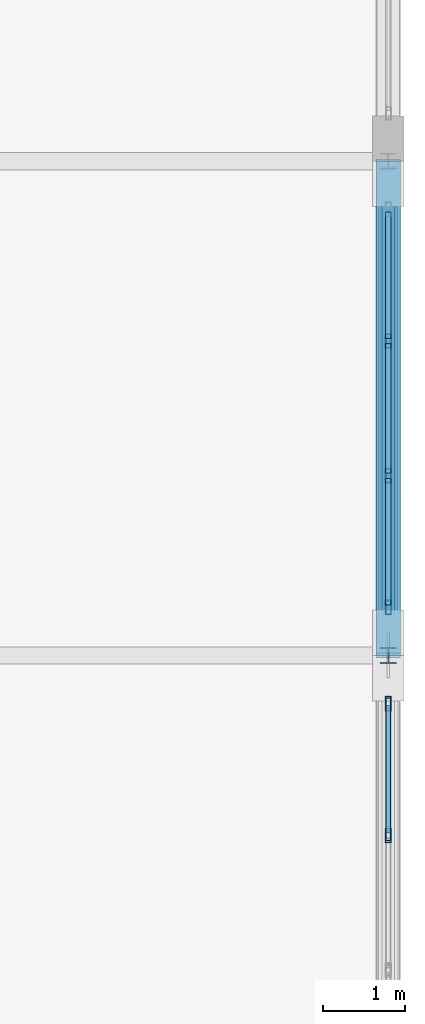
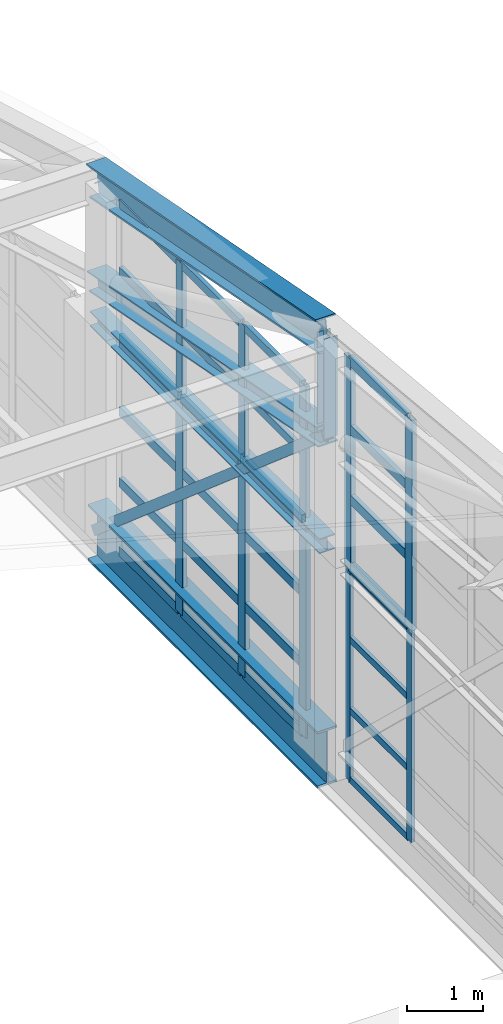
# One storey, part 139 of 204: 45 members, 4 elements without a shape of their own.
"""IFC4 building model written with IfcOpenShell, lengths in metres."""

from ifc_helpers import new_model, si_unit, direction, frame, origin, origin_2d, place, context, subcontext, project, spatial, hollow_rectangle, i_section, extrude, material, layer, layer_set, material_profile, profile_set, type_object, element, aggregate, save


model = new_model("IFC4")

# Units and contexts
model_context = context("Model", 3, precision=1e-05, world=origin(), true_north=direction((0.0, 1.0)))
body_context = subcontext(model_context, "Body", "Model", "MODEL_VIEW")
ifc_project = project(units=[si_unit("LENGTHUNIT", "METRE"), si_unit("AREAUNIT", "SQUARE_METRE"), si_unit("VOLUMEUNIT", "CUBIC_METRE"), si_unit("PLANEANGLEUNIT", "RADIAN"), si_unit("MASSUNIT", "GRAM", prefix="KILO")], contexts=[model_context])

# Site, building, storey
site_placement = place(None, origin())
site = spatial("IfcSite", under=ifc_project, at=site_placement, CompositionType="ELEMENT")
building_placement = place(site_placement, origin())
building = spatial("IfcBuilding", under=site, at=building_placement, Name="Zilviju Railside Exhibition Hall", CompositionType="ELEMENT")
storey_placement = place(building_placement, frame((0.0, 0.0, 21.0)))
storey = spatial("IfcBuildingStorey", under=building, at=storey_placement, Name="RF", CompositionType="ELEMENT", Elevation=21.0)

# Curtain wall, members
ifc_material_1 = material(Name="Thermally broken aluminium-steel triple-glazed curtain wall", Category="steel")
ifc_layer_1 = layer(ifc_material_1, 0.179931640625)
ifc_layer_set_1 = layer_set([ifc_layer_1], Name="Thermally broken aluminium-steel triple-glazed curtain wall")
curtain_wall_type_1 = type_object("IfcCurtainWallType", Name="CW-BAY-18", PredefinedType="USERDEFINED", material=ifc_layer_set_1)
curtain_wall_1_placement = place(storey_placement, origin())
curtain_wall_1 = element("IfcCurtainWall", 1, at=curtain_wall_1_placement, inside=storey, type_object=curtain_wall_type_1, Name="North Hall Arch Lower Tympanum Glazing East P6", ObjectType="GLAZED CURTAIN WALL", PredefinedType="USERDEFINED")
ifc_material_2 = material(Name="Thermally broken anodized aluminium mullion", Category="aluminium")
ifc_material_profile_1 = material_profile(ifc_material_2, hollow_rectangle(XDim=0.054931640625, YDim=0.1298828125, WallThickness=0.0048828125, at=origin_2d()), Name="MULLION 130x55x5")
ifc_profile_set_1 = profile_set([ifc_material_profile_1], Name="Thermally broken anodized aluminium mullion")
member_type_1 = type_object("IfcMemberType", Name="CWM-55x130", PredefinedType="MULLION", material=ifc_profile_set_1)
member_1_placement = place(storey_placement, frame((216.0, 119.422607421875, -3.60009765625), z_axis=(0.0, 0.0, 1.0), x_axis=(1.0, 0.0, 0.0)))
member_1 = element("IfcMember", 2, at=member_1_placement, type_object=member_type_1, Name="CW-18 mullion 1", PredefinedType="MULLION", context=body_context, shape_type="SweptSolid", body=[
    extrude(hollow_rectangle(XDim=0.054931640625, YDim=0.1298828125, WallThickness=0.0048828125, at=origin_2d()), origin(), (0.0, 0.0, 1.0), 3.400146484375),
])
member_2_placement = place(storey_placement, frame((216.0, 117.816650390625, -3.60009765625), z_axis=(0.0, 0.0, 1.0), x_axis=(1.0, 0.0, 0.0)))
member_2 = element("IfcMember", 3, at=member_2_placement, type_object=member_type_1, Name="CW-18 mullion 2", PredefinedType="MULLION", context=body_context, shape_type="SweptSolid", body=[
    extrude(hollow_rectangle(XDim=0.054931640625, YDim=0.1298828125, WallThickness=0.0048828125, at=origin_2d()), origin(), (0.0, 0.0, 1.0), 3.400146484375),
])

ifc_layer_2 = layer(ifc_material_1, 0.179931640625)
ifc_layer_set_2 = layer_set([ifc_layer_2], Name="Thermally broken aluminium-steel triple-glazed curtain wall")
curtain_wall_type_2 = type_object("IfcCurtainWallType", Name="CW-BAY-06", PredefinedType="USERDEFINED", material=ifc_layer_set_2)
curtain_wall_2_placement = place(storey_placement, origin())
curtain_wall_2 = element("IfcCurtainWall", 4, at=curtain_wall_2_placement, inside=storey, type_object=curtain_wall_type_2, Name="North Hall Crown Arch Tympanum Glazing East P7", ObjectType="GLAZED CURTAIN WALL", PredefinedType="USERDEFINED")
ifc_material_profile_2 = material_profile(ifc_material_2, hollow_rectangle(XDim=0.06494140625, YDim=0.159912109375, WallThickness=0.0048828125, at=origin_2d()), Name="MULLION 160x65x5")
ifc_profile_set_2 = profile_set([ifc_material_profile_2], Name="Thermally broken anodized aluminium mullion")
member_type_2 = type_object("IfcMemberType", Name="CWM-65x160", PredefinedType="MULLION", material=ifc_profile_set_2)
member_3_placement = place(storey_placement, frame((216.0, 123.816650390625, -0.199951171875), z_axis=(0.0, 0.0, 1.0), x_axis=(1.0, 0.0, 0.0)))
member_3 = element("IfcMember", 5, at=member_3_placement, type_object=member_type_2, Name="CW-06 mullion 2", PredefinedType="MULLION", context=body_context, shape_type="SweptSolid", body=[
    extrude(hollow_rectangle(XDim=0.06494140625, YDim=0.159912109375, WallThickness=0.0048828125, at=origin_2d()), origin(), (0.0, 0.0, 1.0), 2.209716796875),
])
member_4_placement = place(storey_placement, frame((216.0, 122.183349609375, -0.199951171875), z_axis=(0.0, 0.0, 1.0), x_axis=(1.0, 0.0, 0.0)))
member_4 = element("IfcMember", 6, at=member_4_placement, type_object=member_type_2, Name="CW-06 mullion 3", PredefinedType="MULLION", context=body_context, shape_type="SweptSolid", body=[
    extrude(hollow_rectangle(XDim=0.06494140625, YDim=0.159912109375, WallThickness=0.0048828125, at=origin_2d()), origin(), (0.0, 0.0, 1.0), 2.209716796875),
])
member_5_placement = place(storey_placement, frame((216.0, 120.58251953125, -0.199951171875), z_axis=(0.0, 0.0, 1.0), x_axis=(1.0, 0.0, 0.0)))
member_5 = element("IfcMember", 7, at=member_5_placement, type_object=member_type_2, Name="CW-06 mullion 4", PredefinedType="MULLION", context=body_context, shape_type="SweptSolid", body=[
    extrude(hollow_rectangle(XDim=0.06494140625, YDim=0.159912109375, WallThickness=0.0048828125, at=origin_2d()), origin(), (0.0, 0.0, 1.0), 2.209716796875),
])

ifc_layer_3 = layer(ifc_material_1, 0.179931640625)
ifc_layer_set_3 = layer_set([ifc_layer_3], Name="Thermally broken aluminium-steel triple-glazed curtain wall")
curtain_wall_type_3 = type_object("IfcCurtainWallType", Name="CW-BAY-19", PredefinedType="USERDEFINED", material=ifc_layer_set_3)
curtain_wall_3_placement = place(storey_placement, origin())
curtain_wall_3 = element("IfcCurtainWall", 8, at=curtain_wall_3_placement, inside=storey, type_object=curtain_wall_type_3, Name="North Hall Arch Lower Tympanum Glazing East P7", ObjectType="GLAZED CURTAIN WALL", PredefinedType="USERDEFINED")
ifc_material_profile_3 = material_profile(ifc_material_2, hollow_rectangle(XDim=0.070068359375, YDim=0.179931640625, WallThickness=0.0048828125, at=origin_2d()), Name="MULLION 180x70x5")
ifc_profile_set_3 = profile_set([ifc_material_profile_3], Name="Thermally broken anodized aluminium mullion")
member_type_3 = type_object("IfcMemberType", Name="CWM-70x180", PredefinedType="MULLION", material=ifc_profile_set_3)
member_6_placement = place(storey_placement, frame((216.0, 123.816650390625, -3.60009765625), z_axis=(0.0, 0.0, 1.0), x_axis=(1.0, 0.0, 0.0)))
member_6 = element("IfcMember", 9, at=member_6_placement, type_object=member_type_3, Name="CW-19 mullion 2", PredefinedType="MULLION", context=body_context, shape_type="SweptSolid", body=[
    extrude(hollow_rectangle(XDim=0.070068359375, YDim=0.179931640625, WallThickness=0.0048828125, at=origin_2d()), origin(), (0.0, 0.0, 1.0), 3.400146484375),
])
member_7_placement = place(storey_placement, frame((216.0, 122.183349609375, -3.60009765625), z_axis=(0.0, 0.0, 1.0), x_axis=(1.0, 0.0, 0.0)))
member_7 = element("IfcMember", 10, at=member_7_placement, type_object=member_type_3, Name="CW-19 mullion 3", PredefinedType="MULLION", context=body_context, shape_type="SweptSolid", body=[
    extrude(hollow_rectangle(XDim=0.070068359375, YDim=0.179931640625, WallThickness=0.0048828125, at=origin_2d()), origin(), (0.0, 0.0, 1.0), 3.400146484375),
])
member_8_placement = place(storey_placement, frame((216.0, 120.5849609375, -3.60009765625), z_axis=(0.0, 0.0, 1.0), x_axis=(1.0, 0.0, 0.0)))
member_8 = element("IfcMember", 11, at=member_8_placement, type_object=member_type_3, Name="CW-19 mullion 4", PredefinedType="MULLION", context=body_context, shape_type="SweptSolid", body=[
    extrude(hollow_rectangle(XDim=0.070068359375, YDim=0.179931640625, WallThickness=0.0048828125, at=origin_2d()), origin(), (0.0, 0.0, 1.0), 3.400146484375),
])

ifc_layer_4 = layer(ifc_material_1, 0.179931640625)
ifc_layer_set_4 = layer_set([ifc_layer_4], Name="Thermally broken aluminium-steel triple-glazed curtain wall")
curtain_wall_type_4 = type_object("IfcCurtainWallType", Name="CW-BAY-05", PredefinedType="USERDEFINED", material=ifc_layer_set_4)
curtain_wall_4_placement = place(storey_placement, origin())
curtain_wall_4 = element("IfcCurtainWall", 12, at=curtain_wall_4_placement, inside=storey, type_object=curtain_wall_type_4, Name="North Hall Crown Arch Tympanum Glazing East P6", ObjectType="GLAZED CURTAIN WALL", PredefinedType="USERDEFINED")
member_9_placement = place(storey_placement, frame((216.0, 119.4150390625, -0.199951171875), z_axis=(0.0, 0.0, 1.0), x_axis=(1.0, 0.0, 0.0)))
member_9 = element("IfcMember", 13, at=member_9_placement, type_object=member_type_3, Name="CW-05 mullion 1", PredefinedType="MULLION", context=body_context, shape_type="SweptSolid", body=[
    extrude(hollow_rectangle(XDim=0.070068359375, YDim=0.179931640625, WallThickness=0.0048828125, at=origin_2d()), origin(), (0.0, 0.0, 1.0), 3.35546875),
])
member_10_placement = place(storey_placement, frame((216.0, 117.816650390625, -0.199951171875), z_axis=(0.0, 0.0, 1.0), x_axis=(1.0, 0.0, 0.0)))
member_10 = element("IfcMember", 14, at=member_10_placement, type_object=member_type_3, Name="CW-05 mullion 2", PredefinedType="MULLION", context=body_context, shape_type="SweptSolid", body=[
    extrude(hollow_rectangle(XDim=0.070068359375, YDim=0.179931640625, WallThickness=0.0048828125, at=origin_2d()), origin(), (0.0, 0.0, 1.0), 3.35546875),
])

# Member
ifc_material_3 = material(Name="Thermally broken anodized aluminium transom", Category="aluminium")
ifc_material_profile_4 = material_profile(ifc_material_3, hollow_rectangle(XDim=0.054931640625, YDim=0.10498046875, WallThickness=0.0048828125, at=origin_2d()), Name="TRANSOM 105x55x5")
ifc_profile_set_4 = profile_set([ifc_material_profile_4], Name="Thermally broken anodized aluminium transom")
member_type_4 = type_object("IfcMemberType", Name="CWT-55x105", PredefinedType="USERDEFINED", material=ifc_profile_set_4)
member_11_placement = place(storey_placement, frame((216.0, 119.39501953125, -3.572509765625), z_axis=(0.0, -1.0, 0.0), x_axis=(1.0, 0.0, 0.0)))
member_11 = element("IfcMember", 15, at=member_11_placement, type_object=member_type_4, Name="CW-18 transom 1.1", ObjectType="TRANSOM", PredefinedType="USERDEFINED", context=body_context, shape_type="SweptSolid", body=[
    extrude(hollow_rectangle(XDim=0.054931640625, YDim=0.10498046875, WallThickness=0.0048828125, at=origin_2d()), origin(), (0.0, 0.0, 1.0), 1.55078125),
])

member_12_placement = place(storey_placement, frame((216.0, 119.39501953125, -2.467041015625), z_axis=(0.0, -1.0, 0.0), x_axis=(1.0, 0.0, 0.0)))
member_12 = element("IfcMember", 16, at=member_12_placement, type_object=member_type_4, Name="CW-18 transom 1.2", ObjectType="TRANSOM", PredefinedType="USERDEFINED", context=body_context, shape_type="SweptSolid", body=[
    extrude(hollow_rectangle(XDim=0.054931640625, YDim=0.10498046875, WallThickness=0.0048828125, at=origin_2d()), origin(), (0.0, 0.0, 1.0), 1.55078125),
])

member_13_placement = place(storey_placement, frame((216.0, 119.39501953125, -1.3330078125), z_axis=(0.0, -1.0, 0.0), x_axis=(1.0, 0.0, 0.0)))
member_13 = element("IfcMember", 17, at=member_13_placement, type_object=member_type_4, Name="CW-18 transom 1.3", ObjectType="TRANSOM", PredefinedType="USERDEFINED", context=body_context, shape_type="SweptSolid", body=[
    extrude(hollow_rectangle(XDim=0.054931640625, YDim=0.10498046875, WallThickness=0.0048828125, at=origin_2d()), origin(), (0.0, 0.0, 1.0), 1.55078125),
])

member_14_placement = place(storey_placement, frame((216.0, 119.39501953125, -0.2275390625), z_axis=(0.0, -1.0, 0.0), x_axis=(1.0, 0.0, 0.0)))
member_14 = element("IfcMember", 18, at=member_14_placement, type_object=member_type_4, Name="CW-18 transom 1.4", ObjectType="TRANSOM", PredefinedType="USERDEFINED", context=body_context, shape_type="SweptSolid", body=[
    extrude(hollow_rectangle(XDim=0.054931640625, YDim=0.10498046875, WallThickness=0.0048828125, at=origin_2d()), origin(), (0.0, 0.0, 1.0), 1.55078125),
])

aggregate(curtain_wall_1, [member_1, member_2, member_11, member_12, member_13, member_14])

ifc_material_profile_5 = material_profile(ifc_material_3, hollow_rectangle(XDim=0.06494140625, YDim=0.1298828125, WallThickness=0.0048828125, at=origin_2d()), Name="TRANSOM 130x65x5")
ifc_profile_set_5 = profile_set([ifc_material_profile_5], Name="Thermally broken anodized aluminium transom")
member_type_5 = type_object("IfcMemberType", Name="CWT-65x130", PredefinedType="USERDEFINED", material=ifc_profile_set_5)
member_15_placement = place(storey_placement, frame((216.0, 125.385009765625, -0.16748046875), z_axis=(0.0, -1.0, 0.0), x_axis=(1.0, 0.0, 0.0)))
member_15 = element("IfcMember", 19, at=member_15_placement, type_object=member_type_5, Name="CW-06 transom 1.1", ObjectType="TRANSOM", PredefinedType="USERDEFINED", context=body_context, shape_type="SweptSolid", body=[
    extrude(hollow_rectangle(XDim=0.06494140625, YDim=0.1298828125, WallThickness=0.0048828125, at=origin_2d()), origin(), (0.0, 0.0, 1.0), 1.535888671875),
])

member_16_placement = place(storey_placement, frame((216.0, 125.385009765625, 0.905029296875), z_axis=(0.0, -1.0, 0.0), x_axis=(1.0, 0.0, 0.0)))
member_16 = element("IfcMember", 20, at=member_16_placement, type_object=member_type_5, Name="CW-06 transom 1.2", ObjectType="TRANSOM", PredefinedType="USERDEFINED", context=body_context, shape_type="SweptSolid", body=[
    extrude(hollow_rectangle(XDim=0.06494140625, YDim=0.1298828125, WallThickness=0.0048828125, at=origin_2d()), origin(), (0.0, 0.0, 1.0), 1.535888671875),
])

member_17_placement = place(storey_placement, frame((216.0, 125.385009765625, 1.977294921875), z_axis=(0.0, -1.0, 0.0), x_axis=(1.0, 0.0, 0.0)))
member_17 = element("IfcMember", 21, at=member_17_placement, type_object=member_type_5, Name="CW-06 transom 1.3", ObjectType="TRANSOM", PredefinedType="USERDEFINED", context=body_context, shape_type="SweptSolid", body=[
    extrude(hollow_rectangle(XDim=0.06494140625, YDim=0.1298828125, WallThickness=0.0048828125, at=origin_2d()), origin(), (0.0, 0.0, 1.0), 1.535888671875),
])

member_18_placement = place(storey_placement, frame((216.0, 123.7841796875, -0.16748046875), z_axis=(0.0, -1.0, 0.0), x_axis=(1.0, 0.0, 0.0)))
member_18 = element("IfcMember", 22, at=member_18_placement, type_object=member_type_5, Name="CW-06 transom 2.1", ObjectType="TRANSOM", PredefinedType="USERDEFINED", context=body_context, shape_type="SweptSolid", body=[
    extrude(hollow_rectangle(XDim=0.06494140625, YDim=0.1298828125, WallThickness=0.0048828125, at=origin_2d()), origin(), (0.0, 0.0, 1.0), 1.568359375),
])

member_19_placement = place(storey_placement, frame((216.0, 123.7841796875, 0.905029296875), z_axis=(0.0, -1.0, 0.0), x_axis=(1.0, 0.0, 0.0)))
member_19 = element("IfcMember", 23, at=member_19_placement, type_object=member_type_5, Name="CW-06 transom 2.2", ObjectType="TRANSOM", PredefinedType="USERDEFINED", context=body_context, shape_type="SweptSolid", body=[
    extrude(hollow_rectangle(XDim=0.06494140625, YDim=0.1298828125, WallThickness=0.0048828125, at=origin_2d()), origin(), (0.0, 0.0, 1.0), 1.568359375),
])

member_20_placement = place(storey_placement, frame((216.0, 123.7841796875, 1.977294921875), z_axis=(0.0, -1.0, 0.0), x_axis=(1.0, 0.0, 0.0)))
member_20 = element("IfcMember", 24, at=member_20_placement, type_object=member_type_5, Name="CW-06 transom 2.3", ObjectType="TRANSOM", PredefinedType="USERDEFINED", context=body_context, shape_type="SweptSolid", body=[
    extrude(hollow_rectangle(XDim=0.06494140625, YDim=0.1298828125, WallThickness=0.0048828125, at=origin_2d()), origin(), (0.0, 0.0, 1.0), 1.568359375),
])

member_21_placement = place(storey_placement, frame((216.0, 122.15087890625, -0.16748046875), z_axis=(0.0, -1.0, 0.0), x_axis=(1.0, 0.0, 0.0)))
member_21 = element("IfcMember", 25, at=member_21_placement, type_object=member_type_5, Name="CW-06 transom 3.1", ObjectType="TRANSOM", PredefinedType="USERDEFINED", context=body_context, shape_type="SweptSolid", body=[
    extrude(hollow_rectangle(XDim=0.06494140625, YDim=0.1298828125, WallThickness=0.0048828125, at=origin_2d()), origin(), (0.0, 0.0, 1.0), 1.535888671875),
])

member_22_placement = place(storey_placement, frame((216.0, 122.15087890625, 0.905029296875), z_axis=(0.0, -1.0, 0.0), x_axis=(1.0, 0.0, 0.0)))
member_22 = element("IfcMember", 26, at=member_22_placement, type_object=member_type_5, Name="CW-06 transom 3.2", ObjectType="TRANSOM", PredefinedType="USERDEFINED", context=body_context, shape_type="SweptSolid", body=[
    extrude(hollow_rectangle(XDim=0.06494140625, YDim=0.1298828125, WallThickness=0.0048828125, at=origin_2d()), origin(), (0.0, 0.0, 1.0), 1.535888671875),
])

member_23_placement = place(storey_placement, frame((216.0, 122.15087890625, 1.977294921875), z_axis=(0.0, -1.0, 0.0), x_axis=(1.0, 0.0, 0.0)))
member_23 = element("IfcMember", 27, at=member_23_placement, type_object=member_type_5, Name="CW-06 transom 3.3", ObjectType="TRANSOM", PredefinedType="USERDEFINED", context=body_context, shape_type="SweptSolid", body=[
    extrude(hollow_rectangle(XDim=0.06494140625, YDim=0.1298828125, WallThickness=0.0048828125, at=origin_2d()), origin(), (0.0, 0.0, 1.0), 1.535888671875),
])

aggregate(curtain_wall_2, [member_3, member_4, member_5, member_15, member_16, member_17, member_18, member_19, member_20, member_21, member_22, member_23])

ifc_material_profile_6 = material_profile(ifc_material_3, hollow_rectangle(XDim=0.070068359375, YDim=0.14990234375, WallThickness=0.0048828125, at=origin_2d()), Name="TRANSOM 150x70x5")
ifc_profile_set_6 = profile_set([ifc_material_profile_6], Name="Thermally broken anodized aluminium transom")
member_type_6 = type_object("IfcMemberType", Name="CWT-70x150", PredefinedType="USERDEFINED", material=ifc_profile_set_6)
member_24_placement = place(storey_placement, frame((216.0, 125.3798828125, -3.56494140625), z_axis=(0.0, -1.0, 0.0), x_axis=(1.0, 0.0, 0.0)))
member_24 = element("IfcMember", 28, at=member_24_placement, type_object=member_type_6, Name="CW-19 transom 1.1", ObjectType="TRANSOM", PredefinedType="USERDEFINED", context=body_context, shape_type="SweptSolid", body=[
    extrude(hollow_rectangle(XDim=0.070068359375, YDim=0.14990234375, WallThickness=0.0048828125, at=origin_2d()), origin(), (0.0, 0.0, 1.0), 1.5283203125),
])

member_25_placement = place(storey_placement, frame((216.0, 125.3798828125, -2.467041015625), z_axis=(0.0, -1.0, 0.0), x_axis=(1.0, 0.0, 0.0)))
member_25 = element("IfcMember", 29, at=member_25_placement, type_object=member_type_6, Name="CW-19 transom 1.2", ObjectType="TRANSOM", PredefinedType="USERDEFINED", context=body_context, shape_type="SweptSolid", body=[
    extrude(hollow_rectangle(XDim=0.070068359375, YDim=0.14990234375, WallThickness=0.0048828125, at=origin_2d()), origin(), (0.0, 0.0, 1.0), 1.5283203125),
])

member_26_placement = place(storey_placement, frame((216.0, 125.3798828125, -1.3330078125), z_axis=(0.0, -1.0, 0.0), x_axis=(1.0, 0.0, 0.0)))
member_26 = element("IfcMember", 30, at=member_26_placement, type_object=member_type_6, Name="CW-19 transom 1.3", ObjectType="TRANSOM", PredefinedType="USERDEFINED", context=body_context, shape_type="SweptSolid", body=[
    extrude(hollow_rectangle(XDim=0.070068359375, YDim=0.14990234375, WallThickness=0.0048828125, at=origin_2d()), origin(), (0.0, 0.0, 1.0), 1.5283203125),
])

member_27_placement = place(storey_placement, frame((216.0, 125.3798828125, -0.235107421875), z_axis=(0.0, -1.0, 0.0), x_axis=(1.0, 0.0, 0.0)))
member_27 = element("IfcMember", 31, at=member_27_placement, type_object=member_type_6, Name="CW-19 transom 1.4", ObjectType="TRANSOM", PredefinedType="USERDEFINED", context=body_context, shape_type="SweptSolid", body=[
    extrude(hollow_rectangle(XDim=0.070068359375, YDim=0.14990234375, WallThickness=0.0048828125, at=origin_2d()), origin(), (0.0, 0.0, 1.0), 1.5283203125),
])

member_28_placement = place(storey_placement, frame((216.0, 123.78173828125, -3.56494140625), z_axis=(0.0, -1.0, 0.0), x_axis=(1.0, 0.0, 0.0)))
member_28 = element("IfcMember", 32, at=member_28_placement, type_object=member_type_6, Name="CW-19 transom 2.1", ObjectType="TRANSOM", PredefinedType="USERDEFINED", context=body_context, shape_type="SweptSolid", body=[
    extrude(hollow_rectangle(XDim=0.070068359375, YDim=0.14990234375, WallThickness=0.0048828125, at=origin_2d()), origin(), (0.0, 0.0, 1.0), 1.5634765625),
])

member_29_placement = place(storey_placement, frame((216.0, 123.78173828125, -2.467041015625), z_axis=(0.0, -1.0, 0.0), x_axis=(1.0, 0.0, 0.0)))
member_29 = element("IfcMember", 33, at=member_29_placement, type_object=member_type_6, Name="CW-19 transom 2.2", ObjectType="TRANSOM", PredefinedType="USERDEFINED", context=body_context, shape_type="SweptSolid", body=[
    extrude(hollow_rectangle(XDim=0.070068359375, YDim=0.14990234375, WallThickness=0.0048828125, at=origin_2d()), origin(), (0.0, 0.0, 1.0), 1.5634765625),
])

member_30_placement = place(storey_placement, frame((216.0, 123.78173828125, -1.3330078125), z_axis=(0.0, -1.0, 0.0), x_axis=(1.0, 0.0, 0.0)))
member_30 = element("IfcMember", 34, at=member_30_placement, type_object=member_type_6, Name="CW-19 transom 2.3", ObjectType="TRANSOM", PredefinedType="USERDEFINED", context=body_context, shape_type="SweptSolid", body=[
    extrude(hollow_rectangle(XDim=0.070068359375, YDim=0.14990234375, WallThickness=0.0048828125, at=origin_2d()), origin(), (0.0, 0.0, 1.0), 1.5634765625),
])

member_31_placement = place(storey_placement, frame((216.0, 123.78173828125, -0.235107421875), z_axis=(0.0, -1.0, 0.0), x_axis=(1.0, 0.0, 0.0)))
member_31 = element("IfcMember", 35, at=member_31_placement, type_object=member_type_6, Name="CW-19 transom 2.4", ObjectType="TRANSOM", PredefinedType="USERDEFINED", context=body_context, shape_type="SweptSolid", body=[
    extrude(hollow_rectangle(XDim=0.070068359375, YDim=0.14990234375, WallThickness=0.0048828125, at=origin_2d()), origin(), (0.0, 0.0, 1.0), 1.5634765625),
])

member_32_placement = place(storey_placement, frame((216.0, 122.1484375, -3.56494140625), z_axis=(0.0, -1.0, 0.0), x_axis=(1.0, 0.0, 0.0)))
member_32 = element("IfcMember", 36, at=member_32_placement, type_object=member_type_6, Name="CW-19 transom 3.1", ObjectType="TRANSOM", PredefinedType="USERDEFINED", context=body_context, shape_type="SweptSolid", body=[
    extrude(hollow_rectangle(XDim=0.070068359375, YDim=0.14990234375, WallThickness=0.0048828125, at=origin_2d()), origin(), (0.0, 0.0, 1.0), 1.5283203125),
])

member_33_placement = place(storey_placement, frame((216.0, 122.1484375, -2.467041015625), z_axis=(0.0, -1.0, 0.0), x_axis=(1.0, 0.0, 0.0)))
member_33 = element("IfcMember", 37, at=member_33_placement, type_object=member_type_6, Name="CW-19 transom 3.2", ObjectType="TRANSOM", PredefinedType="USERDEFINED", context=body_context, shape_type="SweptSolid", body=[
    extrude(hollow_rectangle(XDim=0.070068359375, YDim=0.14990234375, WallThickness=0.0048828125, at=origin_2d()), origin(), (0.0, 0.0, 1.0), 1.5283203125),
])

member_34_placement = place(storey_placement, frame((216.0, 122.1484375, -1.3330078125), z_axis=(0.0, -1.0, 0.0), x_axis=(1.0, 0.0, 0.0)))
member_34 = element("IfcMember", 38, at=member_34_placement, type_object=member_type_6, Name="CW-19 transom 3.3", ObjectType="TRANSOM", PredefinedType="USERDEFINED", context=body_context, shape_type="SweptSolid", body=[
    extrude(hollow_rectangle(XDim=0.070068359375, YDim=0.14990234375, WallThickness=0.0048828125, at=origin_2d()), origin(), (0.0, 0.0, 1.0), 1.5283203125),
])

member_35_placement = place(storey_placement, frame((216.0, 122.1484375, -0.235107421875), z_axis=(0.0, -1.0, 0.0), x_axis=(1.0, 0.0, 0.0)))
member_35 = element("IfcMember", 39, at=member_35_placement, type_object=member_type_6, Name="CW-19 transom 3.4", ObjectType="TRANSOM", PredefinedType="USERDEFINED", context=body_context, shape_type="SweptSolid", body=[
    extrude(hollow_rectangle(XDim=0.070068359375, YDim=0.14990234375, WallThickness=0.0048828125, at=origin_2d()), origin(), (0.0, 0.0, 1.0), 1.5283203125),
])

aggregate(curtain_wall_3, [member_6, member_7, member_8, member_24, member_25, member_26, member_27, member_28, member_29, member_30, member_31, member_32, member_33, member_34, member_35])

member_36_placement = place(storey_placement, frame((216.0, 119.3798828125, -0.1650390625), z_axis=(0.0, -1.0, 0.0), x_axis=(1.0, 0.0, 0.0)))
member_36 = element("IfcMember", 40, at=member_36_placement, type_object=member_type_6, Name="CW-05 transom 1.1", ObjectType="TRANSOM", PredefinedType="USERDEFINED", context=body_context, shape_type="SweptSolid", body=[
    extrude(hollow_rectangle(XDim=0.070068359375, YDim=0.14990234375, WallThickness=0.0048828125, at=origin_2d()), origin(), (0.0, 0.0, 1.0), 1.5283203125),
])

member_37_placement = place(storey_placement, frame((216.0, 119.3798828125, 0.9189453125), z_axis=(0.0, -1.0, 0.0), x_axis=(1.0, 0.0, 0.0)))
member_37 = element("IfcMember", 41, at=member_37_placement, type_object=member_type_6, Name="CW-05 transom 1.2", ObjectType="TRANSOM", PredefinedType="USERDEFINED", context=body_context, shape_type="SweptSolid", body=[
    extrude(hollow_rectangle(XDim=0.070068359375, YDim=0.14990234375, WallThickness=0.0048828125, at=origin_2d()), origin(), (0.0, 0.0, 1.0), 1.5283203125),
])

member_38_placement = place(storey_placement, frame((216.0, 119.3798828125, 2.037109375), z_axis=(0.0, -1.0, 0.0), x_axis=(1.0, 0.0, 0.0)))
member_38 = element("IfcMember", 42, at=member_38_placement, type_object=member_type_6, Name="CW-05 transom 1.3", ObjectType="TRANSOM", PredefinedType="USERDEFINED", context=body_context, shape_type="SweptSolid", body=[
    extrude(hollow_rectangle(XDim=0.070068359375, YDim=0.14990234375, WallThickness=0.0048828125, at=origin_2d()), origin(), (0.0, 0.0, 1.0), 1.5283203125),
])

member_39_placement = place(storey_placement, frame((216.0, 119.3798828125, 3.12060546875), z_axis=(0.0, -1.0, 0.0), x_axis=(1.0, 0.0, 0.0)))
member_39 = element("IfcMember", 43, at=member_39_placement, type_object=member_type_6, Name="CW-05 transom 1.4", ObjectType="TRANSOM", PredefinedType="USERDEFINED", context=body_context, shape_type="SweptSolid", body=[
    extrude(hollow_rectangle(XDim=0.070068359375, YDim=0.14990234375, WallThickness=0.0048828125, at=origin_2d()), origin(), (0.0, 0.0, 1.0), 1.5283203125),
])

aggregate(curtain_wall_4, [member_9, member_10, member_36, member_37, member_38, member_39])

# Members
ifc_material_4 = material(Name="Steel S355J2", Category="steel")
ifc_material_profile_7 = material_profile(ifc_material_4, i_section(OverallWidth=0.239990234375, OverallDepth=0.239990234375, WebThickness=0.010009765625, FlangeThickness=0.01708984375, at=origin_2d()), Name="HEB 240")
ifc_profile_set_7 = profile_set([ifc_material_profile_7], Name="Steel S355J2")
member_type_7 = type_object("IfcMemberType", Name="TR-CH-HEB240", PredefinedType="CHORD", material=ifc_profile_set_7)
member_40_placement = place(storey_placement, frame((216.0, 120.0, -0.199951171875), z_axis=(0.0, 1.0, 0.0), x_axis=(-1.0, 0.0, 0.0)))
element("IfcMember", 44, at=member_40_placement, inside=storey, type_object=member_type_7, Name="V2 Crown Gable Transom X=216.0 (120..126)", PredefinedType="CHORD", context=body_context, shape_type="SweptSolid", body=[
    extrude(i_section(OverallWidth=0.239990234375, OverallDepth=0.239990234375, WebThickness=0.010009765625, FlangeThickness=0.01708984375, at=origin_2d()), origin(), (0.0, 0.0, 1.0), 6.0),
])
ifc_material_5 = material(Name="Steel S355ML", Category="steel")
ifc_material_profile_8 = material_profile(ifc_material_5, i_section(OverallWidth=0.300048828125, OverallDepth=0.300048828125, WebThickness=0.010986328125, FlangeThickness=0.01904296875, at=origin_2d()), Name="HEB 300")
ifc_profile_set_8 = profile_set([ifc_material_profile_8], Name="Steel S355ML")
member_type_8 = type_object("IfcMemberType", Name="TR-CH-HEB300", PredefinedType="CHORD", material=ifc_profile_set_8)
member_41_placement = place(storey_placement, frame((216.0, 120.0, 1.5556640625), z_axis=(0.0, 0.98225135267, -0.187569400964), x_axis=(-1.0, 0.0, 0.0)))
element("IfcMember", 45, at=member_41_placement, inside=storey, type_object=member_type_8, Name="V2 Parabolic Arch Bottom Chord X=216.0 P7", PredefinedType="CHORD", context=body_context, shape_type="SweptSolid", body=[
    extrude(i_section(OverallWidth=0.300048828125, OverallDepth=0.300048828125, WebThickness=0.010986328125, FlangeThickness=0.01904296875, at=origin_2d()), origin(), (0.0, 0.0, 1.0), 6.1083984375),
])
ifc_material_profile_9 = material_profile(ifc_material_5, i_section(OverallWidth=0.300048828125, OverallDepth=0.5, WebThickness=0.014404296875, FlangeThickness=0.028076171875, at=origin_2d()), Name="HEB 500")
ifc_profile_set_9 = profile_set([ifc_material_profile_9], Name="Steel S355ML")
member_type_9 = type_object("IfcMemberType", Name="TR-CH-HEB500-ML", PredefinedType="CHORD", material=ifc_profile_set_9)
member_42_placement = place(storey_placement, frame((216.0, 120.0, 3.155517578125), z_axis=(0.0, 0.98225135267, -0.187569400964), x_axis=(-1.0, 0.0, 0.0)))
element("IfcMember", 46, at=member_42_placement, inside=storey, type_object=member_type_9, Name="V2 Parabolic Arch Top Chord X=216.0 P7", PredefinedType="CHORD", context=body_context, shape_type="SweptSolid", body=[
    extrude(i_section(OverallWidth=0.300048828125, OverallDepth=0.5, WebThickness=0.014404296875, FlangeThickness=0.028076171875, at=origin_2d()), origin(), (0.0, 0.0, 1.0), 6.1083984375),
])
ifc_material_profile_10 = material_profile(ifc_material_5, i_section(OverallWidth=0.199951171875, OverallDepth=0.18994140625, WebThickness=0.006591796875, FlangeThickness=0.010009765625, at=origin_2d()), Name="HEA 200")
ifc_profile_set_10 = profile_set([ifc_material_profile_10], Name="Steel S355ML")
member_type_10 = type_object("IfcMemberType", Name="TR-POST-HEA200", PredefinedType="POST", material=ifc_profile_set_10)
member_43_placement = place(storey_placement, frame((216.0, 120.0, 1.5556640625), z_axis=(0.0, 0.0, 1.0), x_axis=(1.0, 0.0, 0.0)))
element("IfcMember", 47, at=member_43_placement, inside=storey, type_object=member_type_10, Name="V2 Parabolic Arch Web Post X=216.0 N6", PredefinedType="POST", context=body_context, shape_type="SweptSolid", body=[
    extrude(i_section(OverallWidth=0.199951171875, OverallDepth=0.18994140625, WebThickness=0.006591796875, FlangeThickness=0.010009765625, at=origin_2d()), origin(), (0.0, 0.0, 1.0), 1.599853515625),
])
ifc_material_profile_11 = material_profile(ifc_material_4, hollow_rectangle(XDim=0.14990234375, YDim=0.14990234375, WallThickness=0.008056640625, at=origin_2d()), Name="SHS 150x150x8.0")
ifc_profile_set_11 = profile_set([ifc_material_profile_11], Name="Steel S355J2")
member_type_11 = type_object("IfcMemberType", Name="TR-POST-SHS150", PredefinedType="POST", material=ifc_profile_set_11)
member_44_placement = place(storey_placement, frame((216.0, 126.0, -3.60009765625), z_axis=(0.0, -0.758449992634, 0.651731239602), x_axis=(1.0, 0.0, 0.0)))
element("IfcMember", 48, at=member_44_placement, inside=storey, type_object=member_type_11, Name="V2 Arch Tie Hanger X=216.0 N7", PredefinedType="POST", context=body_context, shape_type="SweptSolid", body=[
    extrude(hollow_rectangle(XDim=0.14990234375, YDim=0.14990234375, WallThickness=0.008056640625, at=origin_2d()), origin(), (0.0, 0.0, 1.0), 7.910888671875),
])
ifc_material_profile_12 = material_profile(ifc_material_4, i_section(OverallWidth=0.300048828125, OverallDepth=0.89990234375, WebThickness=0.0185546875, FlangeThickness=0.034912109375, at=origin_2d()), Name="HEB 900")
ifc_profile_set_12 = profile_set([ifc_material_profile_12], Name="Steel S355J2")
member_type_12 = type_object("IfcMemberType", Name="TR-TIE-HEB900", PredefinedType="CHORD", material=ifc_profile_set_12)
member_45_placement = place(storey_placement, frame((216.0, 120.0, -3.60009765625), z_axis=(0.0, 1.0, 0.0), x_axis=(-1.0, 0.0, 0.0)))
element("IfcMember", 49, at=member_45_placement, inside=storey, type_object=member_type_12, Name="V2 Arch Tie Member X=216.0", PredefinedType="CHORD", context=body_context, shape_type="SweptSolid", body=[
    extrude(i_section(OverallWidth=0.300048828125, OverallDepth=0.89990234375, WebThickness=0.0185546875, FlangeThickness=0.034912109375, at=origin_2d()), origin(), (0.0, 0.0, 1.0), 6.0),
])

save(model, "model.ifc")
